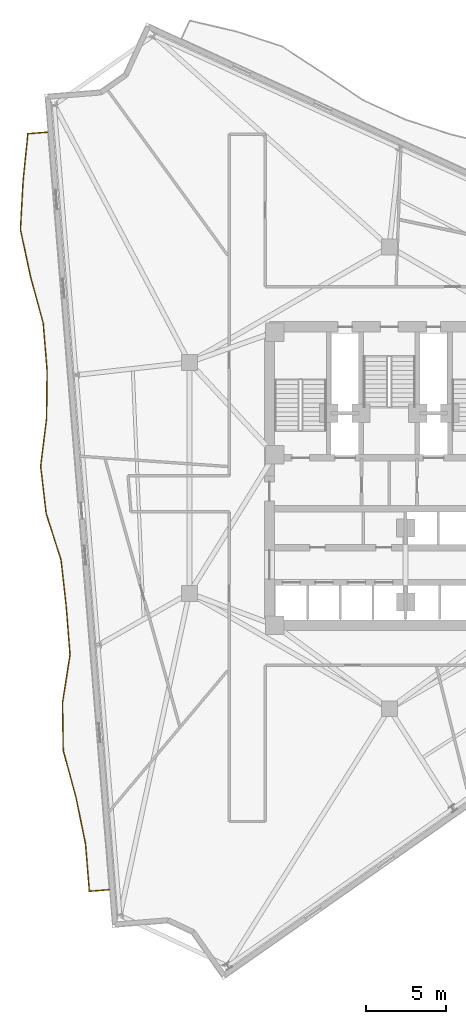
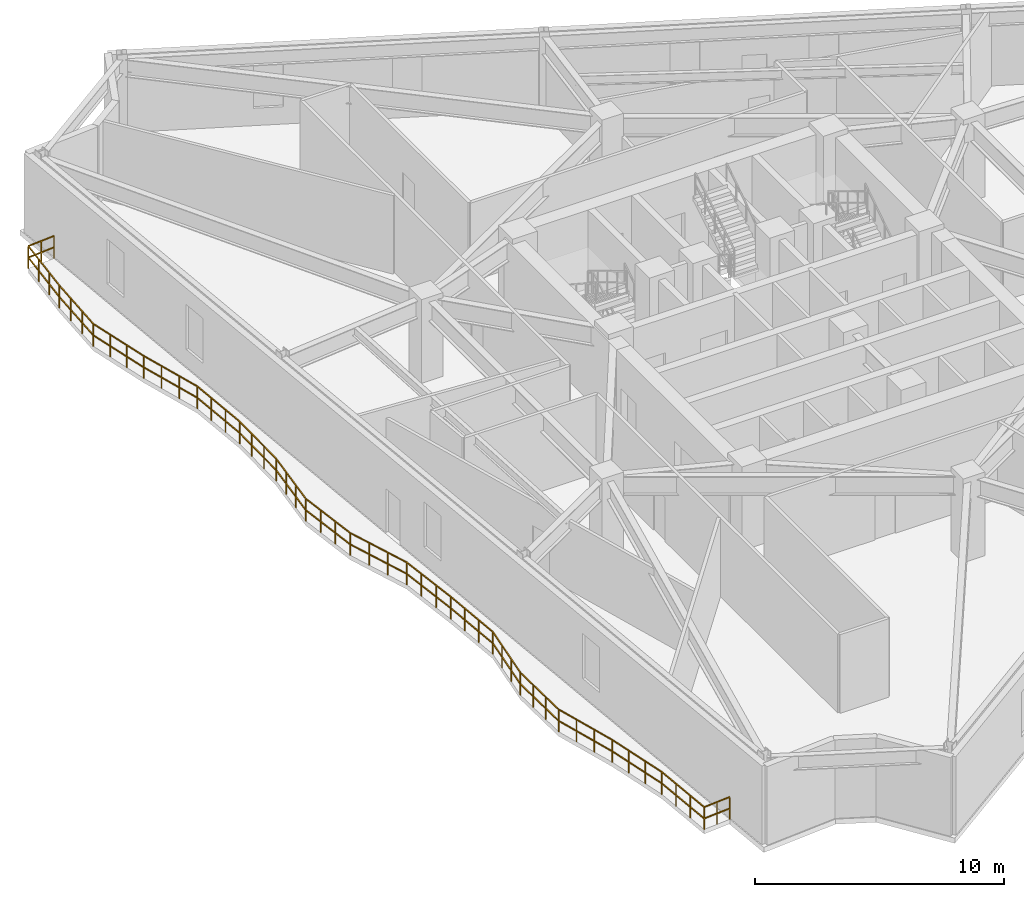
# One storey, part 8 of 10: 1 railing.
"""IFC4 building model written with IfcOpenShell, lengths in metres."""

from ifc_helpers import new_model, si_unit, direction, frame, origin, origin_2d, place, context, subcontext, project, spatial, rectangle, extrude, material, type_object, element, save


model = new_model("IFC4")

# Units and contexts
model_context = context("Model", 3, precision=1e-05, world=origin(), true_north=direction((0.0, 1.0)))
body_context = subcontext(model_context, "Body", "Model", "MODEL_VIEW")
ifc_project = project(units=[si_unit("LENGTHUNIT", "METRE"), si_unit("AREAUNIT", "SQUARE_METRE"), si_unit("VOLUMEUNIT", "CUBIC_METRE"), si_unit("PLANEANGLEUNIT", "RADIAN"), si_unit("MASSUNIT", "GRAM", prefix="KILO")], contexts=[model_context])

# Site, building, storey
site_placement = place(None, origin())
site = spatial("IfcSite", under=ifc_project, at=site_placement, CompositionType="ELEMENT")
building_placement = place(site_placement, origin())
building = spatial("IfcBuilding", under=site, at=building_placement, Name="Apsidion Concourse Tower", CompositionType="ELEMENT")
storey_placement = place(building_placement, frame((0.0, 0.0, 202.39990234375)))
storey = spatial("IfcBuildingStorey", under=building, at=storey_placement, Name="L47", CompositionType="ELEMENT", Elevation=202.39990234375)

# Railing
ifc_material = material(Name="Brushed stainless steel 316", Category="steel")
railing_type = type_object("IfcRailingType", Name="RL-BAL-1120", PredefinedType="BALUSTRADE", material=ifc_material)
railing_placement = place(storey_placement, frame((-17.59326171875, -25.86328125, 0.0)))
element("IfcRailing", 1, at=railing_placement, inside=storey, type_object=railing_type, Name="L47 Face 1 Rippling Balcony Balustrade", PredefinedType="BALUSTRADE", context=body_context, shape_type="SweptSolid", body=[
    extrude(rectangle(XDim=0.048095703125, YDim=0.048095703125, at=origin_2d()), frame((0.0, 0.0, 1.09619140625), z_axis=(-0.996725219945, -0.08086306899, 0.0), x_axis=(0.08086306899, -0.996725219945, 0.0)), (0.0, 0.0, 1.0), 1.25),
    extrude(rectangle(XDim=0.048095703125, YDim=0.048095703125, at=origin_2d()), frame((0.0, 0.0, 0.5361328125), z_axis=(-0.996725219945, -0.08086306899, 0.0), x_axis=(0.08086306899, -0.996725219945, 0.0)), (0.0, 0.0, 1.0), 1.25),
    extrude(rectangle(XDim=0.048095703125, YDim=0.048095703125, at=origin_2d()), frame((-1.245849609375, -0.10107421875, 1.09619140625), z_axis=(-0.080945526608, 0.996718526828, 0.0), x_axis=(-0.996718526828, -0.080945526608, 0.0)), (0.0, 0.0, 1.0), 2.98291015625),
    extrude(rectangle(XDim=0.048095703125, YDim=0.048095703125, at=origin_2d()), frame((-1.245849609375, -0.10107421875, 0.5361328125), z_axis=(-0.080945526608, 0.996718526828, 0.0), x_axis=(-0.996718526828, -0.080945526608, 0.0)), (0.0, 0.0, 1.0), 2.98291015625),
    extrude(rectangle(XDim=0.048095703125, YDim=0.048095703125, at=origin_2d()), frame((-1.4873046875, 2.8720703125, 1.09619140625), z_axis=(-0.199958420115, 0.979804383653, 0.0), x_axis=(-0.979804383653, -0.199958420115, 0.0)), (0.0, 0.0, 1.0), 3.0048828125),
    extrude(rectangle(XDim=0.048095703125, YDim=0.048095703125, at=origin_2d()), frame((-1.4873046875, 2.8720703125, 0.5361328125), z_axis=(-0.199958420115, 0.979804383653, 0.0), x_axis=(-0.979804383653, -0.199958420115, 0.0)), (0.0, 0.0, 1.0), 3.0048828125),
    extrude(rectangle(XDim=0.048095703125, YDim=0.048095703125, at=origin_2d()), frame((-2.088134765625, 5.816162109375, 1.09619140625), z_axis=(-0.263226318522, 0.964734111161, 0.0), x_axis=(-0.964734111161, -0.263226318522, 0.0)), (0.0, 0.0, 1.0), 3.03466796875),
    extrude(rectangle(XDim=0.048095703125, YDim=0.048095703125, at=origin_2d()), frame((-2.088134765625, 5.816162109375, 0.5361328125), z_axis=(-0.263226318522, 0.964734111161, 0.0), x_axis=(-0.964734111161, -0.263226318522, 0.0)), (0.0, 0.0, 1.0), 3.03466796875),
    extrude(rectangle(XDim=0.048095703125, YDim=0.048095703125, at=origin_2d()), frame((-2.886962890625, 8.743896484375, 1.09619140625), z_axis=(-0.014535009905, 0.999894361164, 0.0), x_axis=(-0.999894361164, -0.014535009905, 0.0)), (0.0, 0.0, 1.0), 2.98974609375),
    extrude(rectangle(XDim=0.048095703125, YDim=0.048095703125, at=origin_2d()), frame((-2.886962890625, 8.743896484375, 0.5361328125), z_axis=(-0.014535009905, 0.999894361164, 0.0), x_axis=(-0.999894361164, -0.014535009905, 0.0)), (0.0, 0.0, 1.0), 2.98974609375),
    extrude(rectangle(XDim=0.048095703125, YDim=0.048095703125, at=origin_2d()), frame((-2.930419921875, 11.7333984375, 1.09619140625), z_axis=(0.153157739245, 0.988201754152, 0.0), x_axis=(-0.988201754152, 0.153157739245, 0.0)), (0.0, 0.0, 1.0), 3.06689453125),
    extrude(rectangle(XDim=0.048095703125, YDim=0.048095703125, at=origin_2d()), frame((-2.930419921875, 11.7333984375, 0.5361328125), z_axis=(0.153157739245, 0.988201754152, 0.0), x_axis=(-0.988201754152, 0.153157739245, 0.0)), (0.0, 0.0, 1.0), 3.06689453125),
    extrude(rectangle(XDim=0.048095703125, YDim=0.048095703125, at=origin_2d()), frame((-2.460693359375, 14.76416015625, 1.09619140625), z_axis=(-0.078323625548, 0.996927986206, 0.0), x_axis=(-0.996927986206, -0.078323625548, 0.0)), (0.0, 0.0, 1.0), 2.983154296875),
    extrude(rectangle(XDim=0.048095703125, YDim=0.048095703125, at=origin_2d()), frame((-2.460693359375, 14.76416015625, 0.5361328125), z_axis=(-0.078323625548, 0.996927986206, 0.0), x_axis=(-0.996927986206, -0.078323625548, 0.0)), (0.0, 0.0, 1.0), 2.983154296875),
    extrude(rectangle(XDim=0.048095703125, YDim=0.048095703125, at=origin_2d()), frame((-2.6943359375, 17.738037109375, 1.09619140625), z_axis=(-0.110198065234, 0.99390964701, 0.0), x_axis=(-0.99390964701, -0.110198065234, 0.0)), (0.0, 0.0, 1.0), 2.984130859375),
    extrude(rectangle(XDim=0.048095703125, YDim=0.048095703125, at=origin_2d()), frame((-2.6943359375, 17.738037109375, 0.5361328125), z_axis=(-0.110198065234, 0.99390964701, 0.0), x_axis=(-0.99390964701, -0.110198065234, 0.0)), (0.0, 0.0, 1.0), 2.984130859375),
    extrude(rectangle(XDim=0.048095703125, YDim=0.048095703125, at=origin_2d()), frame((-3.023193359375, 20.7041015625, 1.09619140625), z_axis=(-0.305183469422, 0.952293573428, 0.0), x_axis=(-0.952293573428, -0.305183469422, 0.0)), (0.0, 0.0, 1.0), 3.063232421875),
    extrude(rectangle(XDim=0.048095703125, YDim=0.048095703125, at=origin_2d()), frame((-3.023193359375, 20.7041015625, 0.5361328125), z_axis=(-0.305183469422, 0.952293573428, 0.0), x_axis=(-0.952293573428, -0.305183469422, 0.0)), (0.0, 0.0, 1.0), 3.063232421875),
    extrude(rectangle(XDim=0.048095703125, YDim=0.048095703125, at=origin_2d()), frame((-3.9580078125, 23.62109375, 1.09619140625), z_axis=(-0.115906254058, 0.993260157396, 0.0), x_axis=(-0.993260157396, -0.115906254058, 0.0)), (0.0, 0.0, 1.0), 2.984619140625),
    extrude(rectangle(XDim=0.048095703125, YDim=0.048095703125, at=origin_2d()), frame((-3.9580078125, 23.62109375, 0.5361328125), z_axis=(-0.115906254058, 0.993260157396, 0.0), x_axis=(-0.993260157396, -0.115906254058, 0.0)), (0.0, 0.0, 1.0), 2.984619140625),
    extrude(rectangle(XDim=0.048095703125, YDim=0.048095703125, at=origin_2d()), frame((-4.303955078125, 26.585693359375, 1.09619140625), z_axis=(0.121765224926, 0.99255893024, 0.0), x_axis=(-0.99255893024, 0.121765224926, 0.0)), (0.0, 0.0, 1.0), 3.045654296875),
    extrude(rectangle(XDim=0.048095703125, YDim=0.048095703125, at=origin_2d()), frame((-4.303955078125, 26.585693359375, 0.5361328125), z_axis=(0.121765224926, 0.99255893024, 0.0), x_axis=(-0.99255893024, 0.121765224926, 0.0)), (0.0, 0.0, 1.0), 3.045654296875),
    extrude(rectangle(XDim=0.048095703125, YDim=0.048095703125, at=origin_2d()), frame((-3.93310546875, 29.608642578125, 1.09619140625), z_axis=(0.010595215827, 0.999943869125, 0.0), x_axis=(-0.999943869125, 0.010595215827, 0.0)), (0.0, 0.0, 1.0), 2.99560546875),
    extrude(rectangle(XDim=0.048095703125, YDim=0.048095703125, at=origin_2d()), frame((-3.93310546875, 29.608642578125, 0.5361328125), z_axis=(0.010595215827, 0.999943869125, 0.0), x_axis=(-0.999943869125, 0.010595215827, 0.0)), (0.0, 0.0, 1.0), 2.99560546875),
    extrude(rectangle(XDim=0.048095703125, YDim=0.048095703125, at=origin_2d()), frame((-3.9013671875, 32.60400390625, 1.09619140625), z_axis=(-0.080938923831, 0.996719063031, 0.0), x_axis=(-0.996719063031, -0.080938923831, 0.0)), (0.0, 0.0, 1.0), 2.983154296875),
    extrude(rectangle(XDim=0.048095703125, YDim=0.048095703125, at=origin_2d()), frame((-3.9013671875, 32.60400390625, 0.5361328125), z_axis=(-0.080938923831, 0.996719063031, 0.0), x_axis=(-0.996719063031, -0.080938923831, 0.0)), (0.0, 0.0, 1.0), 2.983154296875),
    extrude(rectangle(XDim=0.048095703125, YDim=0.048095703125, at=origin_2d()), frame((-4.142822265625, 35.577392578125, 1.09619140625), z_axis=(-0.263675477126, 0.964611446522, 0.0), x_axis=(-0.964611446522, -0.263675477126, 0.0)), (0.0, 0.0, 1.0), 3.03515625),
    extrude(rectangle(XDim=0.048095703125, YDim=0.048095703125, at=origin_2d()), frame((-4.142822265625, 35.577392578125, 0.5361328125), z_axis=(-0.263675477126, 0.964611446522, 0.0), x_axis=(-0.964611446522, -0.263675477126, 0.0)), (0.0, 0.0, 1.0), 3.03515625),
    extrude(rectangle(XDim=0.048095703125, YDim=0.048095703125, at=origin_2d()), frame((-4.943115234375, 38.505126953125, 1.09619140625), z_axis=(-0.209224242758, 0.977867688515, 0.0), x_axis=(-0.977867688515, -0.209224242758, 0.0)), (0.0, 0.0, 1.0), 3.00830078125),
    extrude(rectangle(XDim=0.048095703125, YDim=0.048095703125, at=origin_2d()), frame((-4.943115234375, 38.505126953125, 0.5361328125), z_axis=(-0.209224242758, 0.977867688515, 0.0), x_axis=(-0.977867688515, -0.209224242758, 0.0)), (0.0, 0.0, 1.0), 3.00830078125),
    extrude(rectangle(XDim=0.048095703125, YDim=0.048095703125, at=origin_2d()), frame((-5.572509765625, 41.44677734375, 1.09619140625), z_axis=(0.054010224543, 0.998540382581, 0.0), x_axis=(-0.998540382581, 0.054010224543, 0.0)), (0.0, 0.0, 1.0), 3.010498046875),
    extrude(rectangle(XDim=0.048095703125, YDim=0.048095703125, at=origin_2d()), frame((-5.572509765625, 41.44677734375, 0.5361328125), z_axis=(0.054010224543, 0.998540382581, 0.0), x_axis=(-0.998540382581, 0.054010224543, 0.0)), (0.0, 0.0, 1.0), 3.010498046875),
    extrude(rectangle(XDim=0.048095703125, YDim=0.048095703125, at=origin_2d()), frame((-5.409912109375, 44.452880859375, 1.09619140625), z_axis=(0.099439942047, 0.995043565843, 0.0), x_axis=(-0.995043565843, 0.099439942047, 0.0)), (0.0, 0.0, 1.0), 3.0322265625),
    extrude(rectangle(XDim=0.048095703125, YDim=0.048095703125, at=origin_2d()), frame((-5.409912109375, 44.452880859375, 0.5361328125), z_axis=(0.099439942047, 0.995043565843, 0.0), x_axis=(-0.995043565843, 0.099439942047, 0.0)), (0.0, 0.0, 1.0), 3.0322265625),
    extrude(rectangle(XDim=0.048095703125, YDim=0.048095703125, at=origin_2d()), frame((-5.1083984375, 47.469970703125, 1.09619140625), z_axis=(0.996709458739, 0.081057108637, 0.0), x_axis=(-0.081057108637, 0.996709458739, 0.0)), (0.0, 0.0, 1.0), 1.25),
    extrude(rectangle(XDim=0.048095703125, YDim=0.048095703125, at=origin_2d()), frame((-5.1083984375, 47.469970703125, 0.5361328125), z_axis=(0.996709458739, 0.081057108637, 0.0), x_axis=(-0.081057108637, 0.996709458739, 0.0)), (0.0, 0.0, 1.0), 1.25),
    extrude(rectangle(XDim=0.0419921875, YDim=0.0419921875, at=origin_2d()), origin(), (0.0, 0.0, 1.0), 1.072021484375),
    extrude(rectangle(XDim=0.0419921875, YDim=0.0419921875, at=origin_2d()), frame((-0.623046875, -0.050537109375, 0.0)), (0.0, 0.0, 1.0), 1.072021484375),
    extrude(rectangle(XDim=0.0419921875, YDim=0.0419921875, at=origin_2d()), frame((-1.245849609375, -0.10107421875, 0.0)), (0.0, 0.0, 1.0), 1.072021484375),
    extrude(rectangle(XDim=0.0419921875, YDim=0.0419921875, at=origin_2d()), frame((-1.326416015625, 0.889892578125, 0.0)), (0.0, 0.0, 1.0), 1.072021484375),
    extrude(rectangle(XDim=0.0419921875, YDim=0.0419921875, at=origin_2d()), frame((-1.40673828125, 1.881103515625, 0.0)), (0.0, 0.0, 1.0), 1.072021484375),
    extrude(rectangle(XDim=0.0419921875, YDim=0.0419921875, at=origin_2d()), frame((-1.4873046875, 2.8720703125, 0.0)), (0.0, 0.0, 1.0), 1.072021484375),
    extrude(rectangle(XDim=0.0419921875, YDim=0.0419921875, at=origin_2d()), frame((-1.6875, 3.853515625, 0.0)), (0.0, 0.0, 1.0), 1.072021484375),
    extrude(rectangle(XDim=0.0419921875, YDim=0.0419921875, at=origin_2d()), frame((-1.887939453125, 4.834716796875, 0.0)), (0.0, 0.0, 1.0), 1.072021484375),
    extrude(rectangle(XDim=0.0419921875, YDim=0.0419921875, at=origin_2d()), frame((-2.088134765625, 5.816162109375, 0.0)), (0.0, 0.0, 1.0), 1.072021484375),
    extrude(rectangle(XDim=0.0419921875, YDim=0.0419921875, at=origin_2d()), frame((-2.3544921875, 6.7919921875, 0.0)), (0.0, 0.0, 1.0), 1.072021484375),
    extrude(rectangle(XDim=0.0419921875, YDim=0.0419921875, at=origin_2d()), frame((-2.62060546875, 7.76806640625, 0.0)), (0.0, 0.0, 1.0), 1.072021484375),
    extrude(rectangle(XDim=0.0419921875, YDim=0.0419921875, at=origin_2d()), frame((-2.886962890625, 8.743896484375, 0.0)), (0.0, 0.0, 1.0), 1.072021484375),
    extrude(rectangle(XDim=0.0419921875, YDim=0.0419921875, at=origin_2d()), frame((-2.9013671875, 9.740478515625, 0.0)), (0.0, 0.0, 1.0), 1.072021484375),
    extrude(rectangle(XDim=0.0419921875, YDim=0.0419921875, at=origin_2d()), frame((-2.916015625, 10.73681640625, 0.0)), (0.0, 0.0, 1.0), 1.072021484375),
    extrude(rectangle(XDim=0.0419921875, YDim=0.0419921875, at=origin_2d()), frame((-2.930419921875, 11.7333984375, 0.0)), (0.0, 0.0, 1.0), 1.072021484375),
    extrude(rectangle(XDim=0.0419921875, YDim=0.0419921875, at=origin_2d()), frame((-2.77392578125, 12.74365234375, 0.0)), (0.0, 0.0, 1.0), 1.072021484375),
    extrude(rectangle(XDim=0.0419921875, YDim=0.0419921875, at=origin_2d()), frame((-2.6171875, 13.75390625, 0.0)), (0.0, 0.0, 1.0), 1.072021484375),
    extrude(rectangle(XDim=0.0419921875, YDim=0.0419921875, at=origin_2d()), frame((-2.460693359375, 14.76416015625, 0.0)), (0.0, 0.0, 1.0), 1.072021484375),
    extrude(rectangle(XDim=0.0419921875, YDim=0.0419921875, at=origin_2d()), frame((-2.53857421875, 15.75537109375, 0.0)), (0.0, 0.0, 1.0), 1.072021484375),
    extrude(rectangle(XDim=0.0419921875, YDim=0.0419921875, at=origin_2d()), frame((-2.616455078125, 16.746826171875, 0.0)), (0.0, 0.0, 1.0), 1.072021484375),
    extrude(rectangle(XDim=0.0419921875, YDim=0.0419921875, at=origin_2d()), frame((-2.6943359375, 17.738037109375, 0.0)), (0.0, 0.0, 1.0), 1.072021484375),
    extrude(rectangle(XDim=0.0419921875, YDim=0.0419921875, at=origin_2d()), frame((-2.803955078125, 18.726806640625, 0.0)), (0.0, 0.0, 1.0), 1.072021484375),
    extrude(rectangle(XDim=0.0419921875, YDim=0.0419921875, at=origin_2d()), frame((-2.91357421875, 19.71533203125, 0.0)), (0.0, 0.0, 1.0), 1.072021484375),
    extrude(rectangle(XDim=0.0419921875, YDim=0.0419921875, at=origin_2d()), frame((-3.023193359375, 20.7041015625, 0.0)), (0.0, 0.0, 1.0), 1.072021484375),
    extrude(rectangle(XDim=0.0419921875, YDim=0.0419921875, at=origin_2d()), frame((-3.334716796875, 21.676513671875, 0.0)), (0.0, 0.0, 1.0), 1.072021484375),
    extrude(rectangle(XDim=0.0419921875, YDim=0.0419921875, at=origin_2d()), frame((-3.646484375, 22.648681640625, 0.0)), (0.0, 0.0, 1.0), 1.072021484375),
    extrude(rectangle(XDim=0.0419921875, YDim=0.0419921875, at=origin_2d()), frame((-3.9580078125, 23.62109375, 0.0)), (0.0, 0.0, 1.0), 1.072021484375),
    extrude(rectangle(XDim=0.0419921875, YDim=0.0419921875, at=origin_2d()), frame((-4.0732421875, 24.609375, 0.0)), (0.0, 0.0, 1.0), 1.072021484375),
    extrude(rectangle(XDim=0.0419921875, YDim=0.0419921875, at=origin_2d()), frame((-4.188720703125, 25.597412109375, 0.0)), (0.0, 0.0, 1.0), 1.072021484375),
    extrude(rectangle(XDim=0.0419921875, YDim=0.0419921875, at=origin_2d()), frame((-4.303955078125, 26.585693359375, 0.0)), (0.0, 0.0, 1.0), 1.072021484375),
    extrude(rectangle(XDim=0.0419921875, YDim=0.0419921875, at=origin_2d()), frame((-4.180419921875, 27.59326171875, 0.0)), (0.0, 0.0, 1.0), 1.072021484375),
    extrude(rectangle(XDim=0.0419921875, YDim=0.0419921875, at=origin_2d()), frame((-4.056640625, 28.60107421875, 0.0)), (0.0, 0.0, 1.0), 1.072021484375),
    extrude(rectangle(XDim=0.0419921875, YDim=0.0419921875, at=origin_2d()), frame((-3.93310546875, 29.608642578125, 0.0)), (0.0, 0.0, 1.0), 1.072021484375),
    extrude(rectangle(XDim=0.0419921875, YDim=0.0419921875, at=origin_2d()), frame((-3.922607421875, 30.607177734375, 0.0)), (0.0, 0.0, 1.0), 1.072021484375),
    extrude(rectangle(XDim=0.0419921875, YDim=0.0419921875, at=origin_2d()), frame((-3.911865234375, 31.60546875, 0.0)), (0.0, 0.0, 1.0), 1.072021484375),
    extrude(rectangle(XDim=0.0419921875, YDim=0.0419921875, at=origin_2d()), frame((-3.9013671875, 32.60400390625, 0.0)), (0.0, 0.0, 1.0), 1.072021484375),
    extrude(rectangle(XDim=0.0419921875, YDim=0.0419921875, at=origin_2d()), frame((-3.98193359375, 33.59521484375, 0.0)), (0.0, 0.0, 1.0), 1.072021484375),
    extrude(rectangle(XDim=0.0419921875, YDim=0.0419921875, at=origin_2d()), frame((-4.062255859375, 34.586181640625, 0.0)), (0.0, 0.0, 1.0), 1.072021484375),
    extrude(rectangle(XDim=0.0419921875, YDim=0.0419921875, at=origin_2d()), frame((-4.142822265625, 35.577392578125, 0.0)), (0.0, 0.0, 1.0), 1.072021484375),
    extrude(rectangle(XDim=0.0419921875, YDim=0.0419921875, at=origin_2d()), frame((-4.40966796875, 36.55322265625, 0.0)), (0.0, 0.0, 1.0), 1.072021484375),
    extrude(rectangle(XDim=0.0419921875, YDim=0.0419921875, at=origin_2d()), frame((-4.67626953125, 37.529296875, 0.0)), (0.0, 0.0, 1.0), 1.072021484375),
    extrude(rectangle(XDim=0.0419921875, YDim=0.0419921875, at=origin_2d()), frame((-4.943115234375, 38.505126953125, 0.0)), (0.0, 0.0, 1.0), 1.072021484375),
    extrude(rectangle(XDim=0.0419921875, YDim=0.0419921875, at=origin_2d()), frame((-5.15283203125, 39.485595703125, 0.0)), (0.0, 0.0, 1.0), 1.072021484375),
    extrude(rectangle(XDim=0.0419921875, YDim=0.0419921875, at=origin_2d()), frame((-5.36279296875, 40.46630859375, 0.0)), (0.0, 0.0, 1.0), 1.072021484375),
    extrude(rectangle(XDim=0.0419921875, YDim=0.0419921875, at=origin_2d()), frame((-5.572509765625, 41.44677734375, 0.0)), (0.0, 0.0, 1.0), 1.072021484375),
    extrude(rectangle(XDim=0.0419921875, YDim=0.0419921875, at=origin_2d()), frame((-5.518310546875, 42.44873046875, 0.0)), (0.0, 0.0, 1.0), 1.072021484375),
    extrude(rectangle(XDim=0.0419921875, YDim=0.0419921875, at=origin_2d()), frame((-5.464111328125, 43.450927734375, 0.0)), (0.0, 0.0, 1.0), 1.072021484375),
    extrude(rectangle(XDim=0.0419921875, YDim=0.0419921875, at=origin_2d()), frame((-5.409912109375, 44.452880859375, 0.0)), (0.0, 0.0, 1.0), 1.072021484375),
    extrude(rectangle(XDim=0.0419921875, YDim=0.0419921875, at=origin_2d()), frame((-5.309326171875, 45.45849609375, 0.0)), (0.0, 0.0, 1.0), 1.072021484375),
    extrude(rectangle(XDim=0.0419921875, YDim=0.0419921875, at=origin_2d()), frame((-5.208984375, 46.46435546875, 0.0)), (0.0, 0.0, 1.0), 1.072021484375),
    extrude(rectangle(XDim=0.0419921875, YDim=0.0419921875, at=origin_2d()), frame((-5.1083984375, 47.469970703125, 0.0)), (0.0, 0.0, 1.0), 1.072021484375),
    extrude(rectangle(XDim=0.0419921875, YDim=0.0419921875, at=origin_2d()), frame((-4.4853515625, 47.5205078125, 0.0)), (0.0, 0.0, 1.0), 1.072021484375),
    extrude(rectangle(XDim=0.0419921875, YDim=0.0419921875, at=origin_2d()), frame((-3.862548828125, 47.5712890625, 0.0)), (0.0, 0.0, 1.0), 1.072021484375),
])

save(model, "model.ifc")
